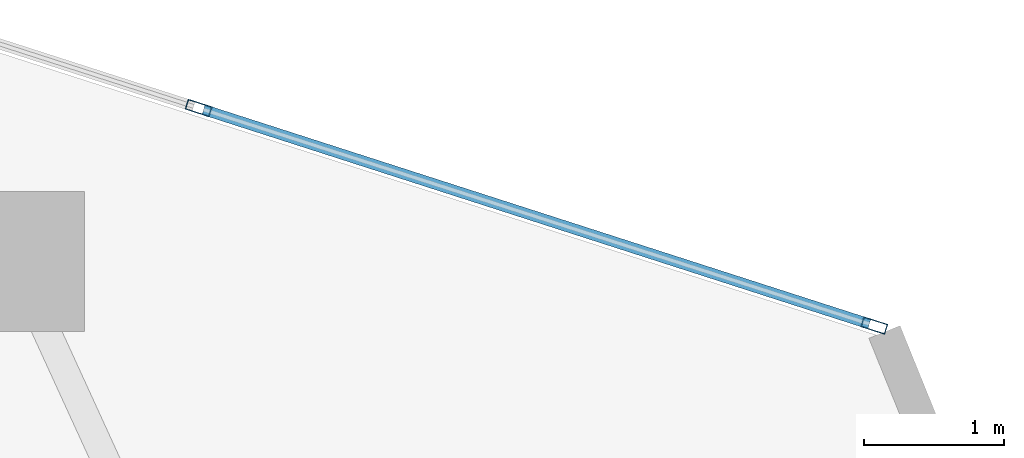
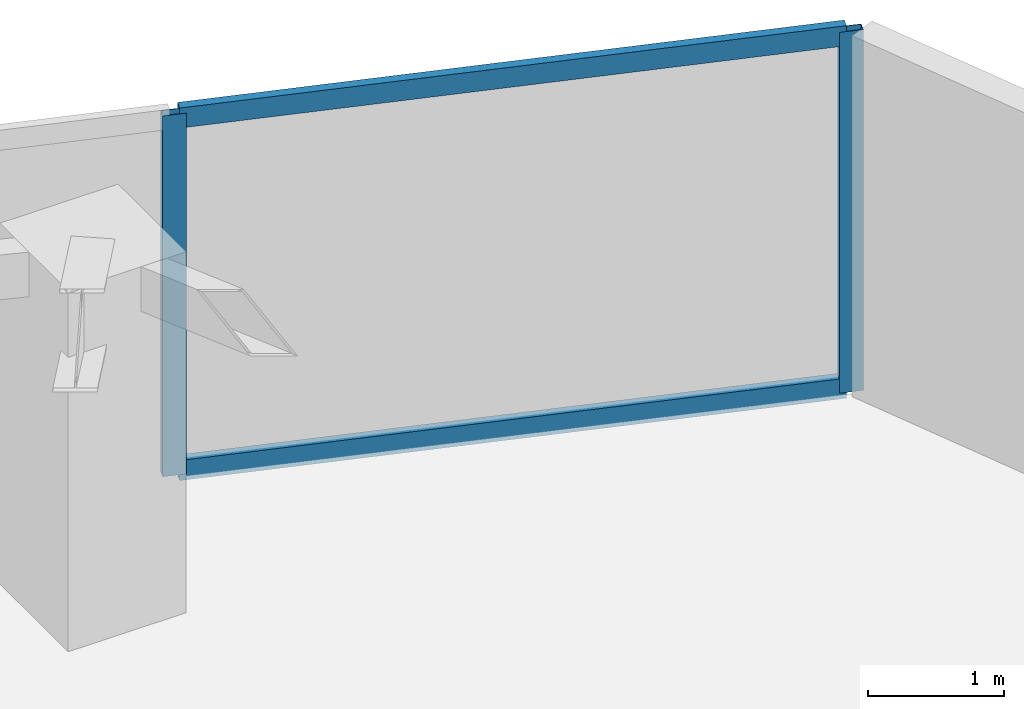
# One storey, part 14 of 19: 4 members, 1 element without a shape of its own.
"""IFC4 building model written with IfcOpenShell, lengths in metres."""

from ifc_helpers import new_model, si_unit, direction, frame, origin, origin_2d, place, context, subcontext, project, spatial, hollow_rectangle, extrude, source, transform, mapped, material, layer, layer_set, material_profile, profile_set, type_object, type_shapes, element, aggregate, save


model = new_model("IFC4")

# Units and contexts
model_context = context("Model", 3, precision=1e-05, world=origin(), true_north=direction((0.0, 1.0)))
body_context = subcontext(model_context, "Body", "Model", "MODEL_VIEW")
ifc_project = project(units=[si_unit("LENGTHUNIT", "METRE"), si_unit("AREAUNIT", "SQUARE_METRE"), si_unit("VOLUMEUNIT", "CUBIC_METRE"), si_unit("PLANEANGLEUNIT", "RADIAN"), si_unit("MASSUNIT", "GRAM", prefix="KILO")], contexts=[model_context])

# Site, building, storey
site_placement = place(None, origin())
site = spatial("IfcSite", under=ifc_project, at=site_placement, CompositionType="ELEMENT")
building_placement = place(site_placement, origin())
building = spatial("IfcBuilding", under=site, at=building_placement, Name="Talar Marvaseh", CompositionType="ELEMENT")
storey_placement = place(building_placement, frame((0.0, 0.0, 181.0)))
storey = spatial("IfcBuildingStorey", under=building, at=storey_placement, Name="L47", CompositionType="ELEMENT", Elevation=181.0)

# Curtain wall, members
ifc_material = material(Name="Architectural Aluminium", Category="aluminium")
ifc_layer = layer(ifc_material, 0.18994140625)
ifc_layer_set = layer_set([ifc_layer], Name="Architectural Aluminium")
curtain_wall_type = type_object("IfcCurtainWallType", Name="Unitised Solar Atelier Curtain Wall Z3", PredefinedType="NOTDEFINED", material=ifc_layer_set)
curtain_wall_placement = place(storey_placement, origin())
curtain_wall = element("IfcCurtainWall", 1, at=curtain_wall_placement, inside=storey, type_object=curtain_wall_type, Name="L47 Unitised Solar Atelier Curtain Wall Z3", PredefinedType="NOTDEFINED")
ifc_material_profile_1 = material_profile(ifc_material, hollow_rectangle(XDim=0.074951171875, YDim=0.179931640625, WallThickness=0.0048828125, at=origin_2d()), Name="RHS180x75x5")
ifc_profile_set_1 = profile_set([ifc_material_profile_1], Name="Architectural Aluminium")
member_type_1 = type_object("IfcMemberType", Name="Unitised Curtain Wall Standard Mullion RHS180x75x5", PredefinedType="MULLION", material=ifc_profile_set_1)
shared_shape_1 = source(origin(), body_context, "Body", "SweptSolid", [
    extrude(hollow_rectangle(XDim=0.074951171875, YDim=0.179931640625, WallThickness=0.0048828125, at=origin_2d()), origin(), (0.0, 0.0, 1.0), 3.22998046875),
])
type_shapes(member_type_1, [shared_shape_1])
member_1_placement = place(storey_placement, frame((37.65673828125, 42.0390625, 0.0), z_axis=(0.0, 0.0, 1.0), x_axis=(0.306465390191, 0.951881801809, 0.0)))
member_1 = element("IfcMember", 2, at=member_1_placement, type_object=member_type_1, Name="CW-Z3 mullion 3", PredefinedType="MULLION", context=body_context, shape_type="MappedRepresentation", body=[
    mapped(shared_shape_1, transform((0.0, 0.0, 0.0), x_axis=(1.0, 0.0, 0.0), y_axis=(0.0, 1.0, 0.0), z_axis=(0.0, 0.0, 1.0), scale=1.0)),
])
member_2_placement = place(storey_placement, frame((42.488037109375, 40.483642578125, 0.0), z_axis=(0.0, 0.0, 1.0), x_axis=(0.306465390191, 0.951881801809, 0.0)))
member_2 = element("IfcMember", 3, at=member_2_placement, type_object=member_type_1, Name="CW-Z3 mullion 4", PredefinedType="MULLION", context=body_context, shape_type="MappedRepresentation", body=[
    mapped(shared_shape_1, transform((0.0, 0.0, 0.0), x_axis=(1.0, 0.0, 0.0), y_axis=(0.0, 1.0, 0.0), z_axis=(0.0, 0.0, 1.0), scale=1.0)),
])
ifc_material_profile_2 = material_profile(ifc_material, hollow_rectangle(XDim=0.074951171875, YDim=0.179931640625, WallThickness=0.0048828125, at=origin_2d()), Name="RHS180x75x5")
ifc_profile_set_2 = profile_set([ifc_material_profile_2], Name="Architectural Aluminium")
member_type_2 = type_object("IfcMemberType", Name="Unitised Curtain Wall Transom RHS180x75x5", PredefinedType="USERDEFINED", material=ifc_profile_set_2)
shared_shape_2 = source(origin(), body_context, "Body", "SweptSolid", [
    extrude(hollow_rectangle(XDim=0.074951171875, YDim=0.179931640625, WallThickness=0.0048828125, at=origin_2d()), origin(), (0.0, 0.0, 1.0), 5.000732421875),
])
type_shapes(member_type_2, [shared_shape_2])
member_3_placement = place(storey_placement, frame((37.6923828125, 42.027587890625, 0.03759765625), z_axis=(0.951884699103, -0.306456391048, 0.0), x_axis=(0.306456391048, 0.951884699103, 0.0)))
member_3 = element("IfcMember", 4, at=member_3_placement, type_object=member_type_2, Name="CW-Z3 transom 3.1", ObjectType="TRANSOM", PredefinedType="USERDEFINED", context=body_context, shape_type="MappedRepresentation", body=[
    mapped(shared_shape_2, transform((0.0, 0.0, 0.0), x_axis=(1.0, 0.0, 0.0), y_axis=(0.0, 1.0, 0.0), z_axis=(0.0, 0.0, 1.0), scale=1.0)),
])
member_4_placement = place(storey_placement, frame((37.6923828125, 42.027587890625, 3.1923828125), z_axis=(0.951884699103, -0.306456391048, 0.0), x_axis=(0.306456391048, 0.951884699103, 0.0)))
member_4 = element("IfcMember", 5, at=member_4_placement, type_object=member_type_2, Name="CW-Z3 transom 3.2", ObjectType="TRANSOM", PredefinedType="USERDEFINED", context=body_context, shape_type="MappedRepresentation", body=[
    mapped(shared_shape_2, transform((0.0, 0.0, 0.0), x_axis=(1.0, 0.0, 0.0), y_axis=(0.0, 1.0, 0.0), z_axis=(0.0, 0.0, 1.0), scale=1.0)),
])
aggregate(curtain_wall, [member_1, member_2, member_3, member_4])

save(model, "model.ifc")
